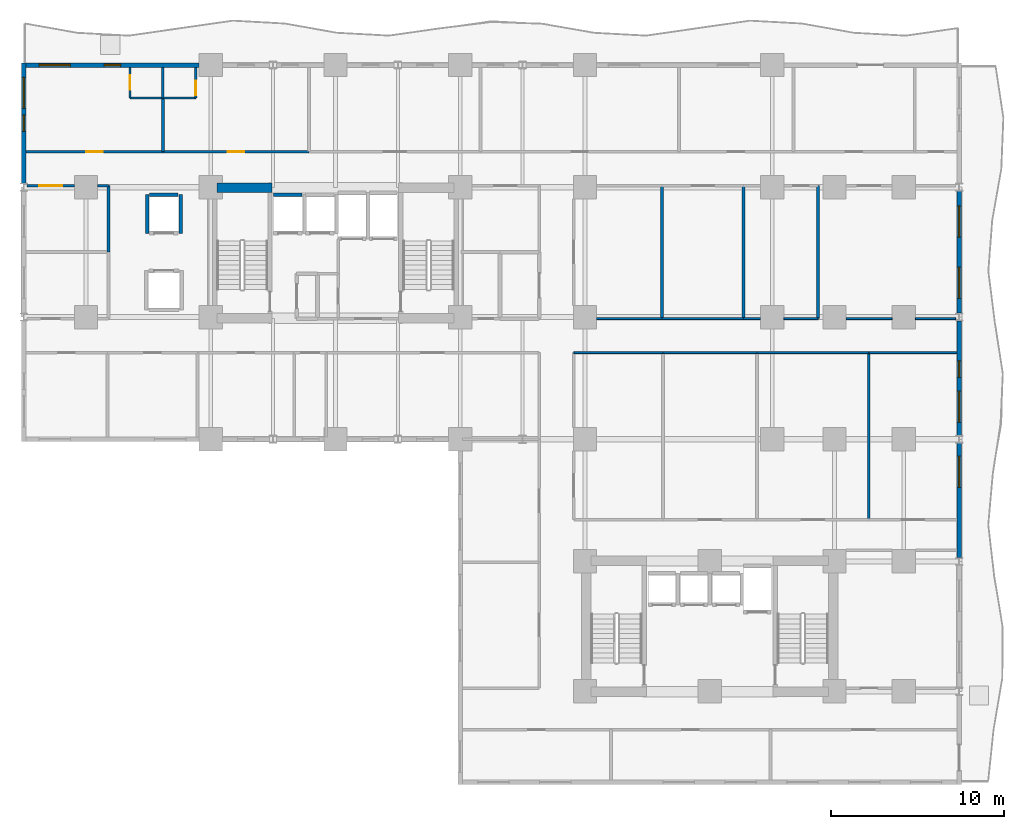
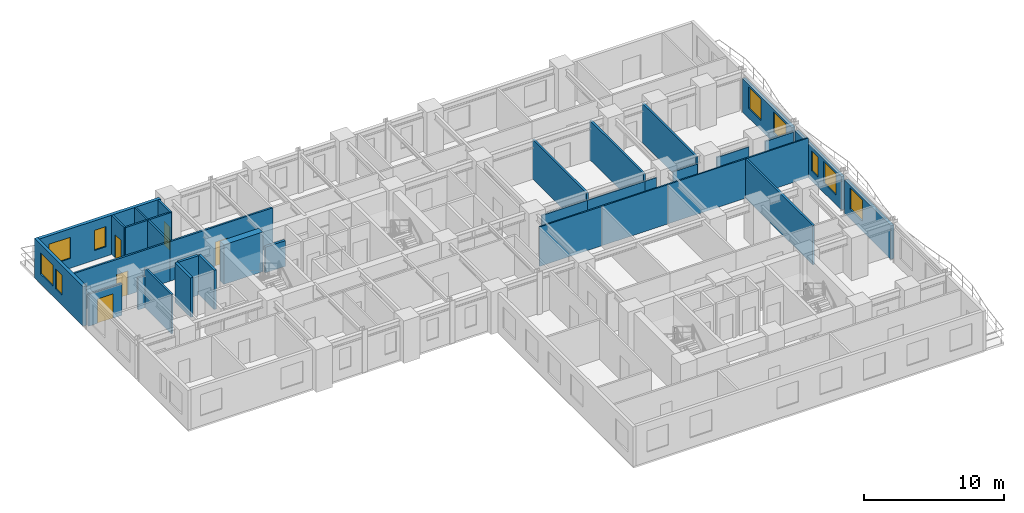
# One storey, part 6 of 11: 35 walls, 9 windows, 5 doors, 14 openings.
"""IFC4 building model written with IfcOpenShell, lengths in metres."""

from ifc_helpers import new_model, si_unit, direction, frame, frame_2d, origin, place, context, subcontext, project, spatial, rectangle, extrude, material, layer, layer_set, type_object, element, fill, save


model = new_model("IFC4")

# Units and contexts
model_context = context("Model", 3, precision=1e-05, world=origin(), true_north=direction((0.0, 1.0)))
body_context = subcontext(model_context, "Body", "Model", "MODEL_VIEW")
ifc_project = project(units=[si_unit("LENGTHUNIT", "METRE"), si_unit("AREAUNIT", "SQUARE_METRE"), si_unit("VOLUMEUNIT", "CUBIC_METRE"), si_unit("PLANEANGLEUNIT", "RADIAN"), si_unit("MASSUNIT", "GRAM", prefix="KILO")], contexts=[model_context])

# Site, building, storey
site_placement = place(None, origin())
site = spatial("IfcSite", under=ifc_project, at=site_placement, CompositionType="ELEMENT")
building_placement = place(site_placement, origin())
building = spatial("IfcBuilding", under=site, at=building_placement, Name="Kaliganga Portal Commons", CompositionType="ELEMENT")
storey_placement = place(building_placement, frame((0.0, 0.0, 40.10009765625)))
storey = spatial("IfcBuildingStorey", under=building, at=storey_placement, Name="L09", CompositionType="ELEMENT", Elevation=40.10009765625)

# Wall
ifc_material_1 = material(Name="Concrete C60/75", Category="concrete")
ifc_layer_1 = layer(ifc_material_1, 0.550048828125)
ifc_layer_set_1 = layer_set([ifc_layer_1], Name="Concrete C60/75")
wall_type_1 = type_object("IfcWallType", Name="WL-CORE-550", PredefinedType="SHEAR", material=ifc_layer_set_1)
wall_1_placement = place(storey_placement, frame((14.75, 36.125, 0.0), z_axis=(0.0, 0.0, 1.0), x_axis=(1.0, 0.0, 0.0)))
element("IfcWall", 1, at=wall_1_placement, inside=storey, type_object=wall_type_1, Name="Core A N-West Shear Wall L09", PredefinedType="SHEAR", context=body_context, shape_type="SweptSolid", body=[
    extrude(rectangle(XDim=3.199951171875, YDim=0.550048828125, at=frame_2d((1.60009765625, 0.0))), origin(), (0.0, 0.0, 1.0), 3.449951171875),
])

# Wall, opening, window
ifc_material_2 = material(Name="Insulated Aluminium-Clad Spandrel Assembly", Category="aluminium")
ifc_layer_2 = layer(ifc_material_2, 0.260009765625)
ifc_layer_set_2 = layer_set([ifc_layer_2], Name="Insulated Aluminium-Clad Spandrel Assembly")
wall_type_2 = type_object("IfcWallType", Name="WL-EXT-SPAND-260", PredefinedType="STANDARD", material=ifc_layer_set_2)
wall_2_placement = place(storey_placement, frame((57.60009765625, 21.3759765625, 0.0), z_axis=(0.0, 0.0, 1.0), x_axis=(0.0, -1.0, 0.0)))
wall_2 = element("IfcWall", 2, at=wall_2_placement, inside=storey, type_object=wall_type_2, Name="Exterior Envelope Wall L09 P1-E01-S3", PredefinedType="STANDARD", context=body_context, shape_type="SweptSolid", body=[
    extrude(rectangle(XDim=6.60205078125, YDim=0.260009765625, at=frame_2d((3.301025390625, 0.0))), origin(), (0.0, 0.0, 1.0), 2.929931640625),
])
opening_1_placement = place(wall_2_placement, frame((0.75048828125, 0.0, 0.85009765625)))
opening_1 = element("IfcOpeningElement", 3, at=opening_1_placement, cuts=wall_2, Name="Opening W-01", PredefinedType="OPENING", context=body_context, shape_type="SweptSolid", body=[
    extrude(rectangle(XDim=1.800048828125, YDim=1.85009765625, at=frame_2d((0.89990234375, 0.925048828125))), frame((0.0, 0.14013671875, 0.0), z_axis=(0.0, -1.0, 0.0), x_axis=(1.0, 0.0, 0.0)), (0.0, 0.0, 1.0), 0.280029296875),
])
ifc_material_3 = material(Name="Thermally Broken Aluminium and Low-E Double Glazing", Category="aluminium")
window_type_1 = type_object("IfcWindowType", Name="WIN-STD-1800", PartitioningType="DOUBLE_PANEL_VERTICAL", PredefinedType="WINDOW", material=ifc_material_3)
window_1_placement = place(opening_1_placement, origin())
window_1 = element("IfcWindow", 4, at=window_1_placement, inside=storey, type_object=window_type_1, Name="Facade Window L09-P1E01S3-00", OverallHeight=1.85009765625, OverallWidth=1.800048828125, PartitioningType="SINGLE_PANEL", PredefinedType="WINDOW", context=body_context, shape_type="SweptSolid", body=[
    extrude(rectangle(XDim=1.800048828125, YDim=1.85009765625, at=frame_2d((0.89990234375, 0.925048828125))), frame((0.0, 0.030029296875, 0.0), z_axis=(0.0, -1.0, 0.0), x_axis=(1.0, 0.0, 0.0)), (0.0, 0.0, 1.0), 0.06005859375),
])
fill(opening_1, window_1)

# Wall, openings, windows
wall_3_placement = place(storey_placement, frame((57.60009765625, 28.426025390625, 0.0), z_axis=(0.0, 0.0, 1.0), x_axis=(0.0, -1.0, 0.0)))
wall_3 = element("IfcWall", 5, at=wall_3_placement, inside=storey, type_object=wall_type_2, Name="Exterior Envelope Wall L09 P1-E01-S4", PredefinedType="STANDARD", context=body_context, shape_type="SweptSolid", body=[
    extrude(rectangle(XDim=6.60205078125, YDim=0.260009765625, at=frame_2d((3.301025390625, 0.0))), origin(), (0.0, 0.0, 1.0), 2.929931640625),
])
opening_2_placement = place(wall_3_placement, frame((4.051513671875, 0.0, 0.85009765625)))
opening_2 = element("IfcOpeningElement", 6, at=opening_2_placement, cuts=wall_3, Name="Opening W-01", PredefinedType="OPENING", context=body_context, shape_type="SweptSolid", body=[
    extrude(rectangle(XDim=1.800048828125, YDim=1.85009765625, at=frame_2d((0.89990234375, 0.925048828125))), frame((0.0, 0.14013671875, 0.0), z_axis=(0.0, -1.0, 0.0), x_axis=(1.0, 0.0, 0.0)), (0.0, 0.0, 1.0), 0.280029296875),
])
opening_3_placement = place(wall_3_placement, frame((2.2978515625, 0.0, 0.85009765625)))
opening_3 = element("IfcOpeningElement", 7, at=opening_3_placement, cuts=wall_3, Name="Opening W-04", PredefinedType="OPENING", context=body_context, shape_type="SweptSolid", body=[
    extrude(rectangle(XDim=0.949951171875, YDim=1.75, at=frame_2d((0.47509765625, 0.875))), frame((0.0, 0.14013671875, 0.0), z_axis=(0.0, -1.0, 0.0), x_axis=(1.0, 0.0, 0.0)), (0.0, 0.0, 1.0), 0.280029296875),
])
window_type_2 = type_object("IfcWindowType", Name="WIN-NARROW-950", PartitioningType="SINGLE_PANEL", PredefinedType="WINDOW", material=ifc_material_3)
window_2_placement = place(opening_3_placement, origin())
window_2 = element("IfcWindow", 8, at=window_2_placement, inside=storey, type_object=window_type_2, Name="Facade Window L09-P1E01S4-N5", OverallHeight=1.75, OverallWidth=0.949951171875, PartitioningType="SINGLE_PANEL", PredefinedType="WINDOW", context=body_context, shape_type="SweptSolid", body=[
    extrude(rectangle(XDim=0.949951171875, YDim=1.75, at=frame_2d((0.47509765625, 0.875))), frame((0.0, 0.030029296875, 0.0), z_axis=(0.0, -1.0, 0.0), x_axis=(1.0, 0.0, 0.0)), (0.0, 0.0, 1.0), 0.06005859375),
])
fill(opening_3, window_2)
window_3_placement = place(opening_2_placement, origin())
window_3 = element("IfcWindow", 9, at=window_3_placement, inside=storey, type_object=window_type_1, Name="Facade Window L09-P1E01S4-01", OverallHeight=1.85009765625, OverallWidth=1.800048828125, PartitioningType="SINGLE_PANEL", PredefinedType="WINDOW", context=body_context, shape_type="SweptSolid", body=[
    extrude(rectangle(XDim=1.800048828125, YDim=1.85009765625, at=frame_2d((0.89990234375, 0.925048828125))), frame((0.0, 0.030029296875, 0.0), z_axis=(0.0, -1.0, 0.0), x_axis=(1.0, 0.0, 0.0)), (0.0, 0.0, 1.0), 0.06005859375),
])
fill(opening_2, window_3)

wall_4_placement = place(storey_placement, frame((57.60009765625, 35.926025390625, 0.0), z_axis=(0.0, 0.0, 1.0), x_axis=(0.0, -1.0, 0.0)))
wall_4 = element("IfcWall", 10, at=wall_4_placement, inside=storey, type_object=wall_type_2, Name="Exterior Envelope Wall L09 P1-E01-S5", PredefinedType="STANDARD", context=body_context, shape_type="SweptSolid", body=[
    extrude(rectangle(XDim=7.052001953125, YDim=0.260009765625, at=frame_2d((3.52587890625, 0.0))), origin(), (0.0, 0.0, 1.0), 2.929931640625),
])
opening_4_placement = place(wall_4_placement, frame((0.863037109375, 0.0, 0.85009765625)))
opening_4 = element("IfcOpeningElement", 11, at=opening_4_placement, cuts=wall_4, Name="Opening W-01", PredefinedType="OPENING", context=body_context, shape_type="SweptSolid", body=[
    extrude(rectangle(XDim=1.800048828125, YDim=1.85009765625, at=frame_2d((0.89990234375, 0.925048828125))), frame((0.0, 0.14013671875, 0.0), z_axis=(0.0, -1.0, 0.0), x_axis=(1.0, 0.0, 0.0)), (0.0, 0.0, 1.0), 0.280029296875),
])
opening_5_placement = place(wall_4_placement, frame((4.388916015625, 0.0, 0.85009765625)))
opening_5 = element("IfcOpeningElement", 12, at=opening_5_placement, cuts=wall_4, Name="Opening W-01", PredefinedType="OPENING", context=body_context, shape_type="SweptSolid", body=[
    extrude(rectangle(XDim=1.800048828125, YDim=1.85009765625, at=frame_2d((0.89990234375, 0.925048828125))), frame((0.0, 0.14013671875, 0.0), z_axis=(0.0, -1.0, 0.0), x_axis=(1.0, 0.0, 0.0)), (0.0, 0.0, 1.0), 0.280029296875),
])
window_4_placement = place(opening_4_placement, origin())
window_4 = element("IfcWindow", 13, at=window_4_placement, inside=storey, type_object=window_type_1, Name="Facade Window L09-P1E01S5-00", OverallHeight=1.85009765625, OverallWidth=1.800048828125, PartitioningType="SINGLE_PANEL", PredefinedType="WINDOW", context=body_context, shape_type="SweptSolid", body=[
    extrude(rectangle(XDim=1.800048828125, YDim=1.85009765625, at=frame_2d((0.89990234375, 0.925048828125))), frame((0.0, 0.030029296875, 0.0), z_axis=(0.0, -1.0, 0.0), x_axis=(1.0, 0.0, 0.0)), (0.0, 0.0, 1.0), 0.06005859375),
])
fill(opening_4, window_4)
window_5_placement = place(opening_5_placement, origin())
window_5 = element("IfcWindow", 14, at=window_5_placement, inside=storey, type_object=window_type_1, Name="Facade Window L09-P1E01S5-01", OverallHeight=1.85009765625, OverallWidth=1.800048828125, PartitioningType="SINGLE_PANEL", PredefinedType="WINDOW", context=body_context, shape_type="SweptSolid", body=[
    extrude(rectangle(XDim=1.800048828125, YDim=1.85009765625, at=frame_2d((0.89990234375, 0.925048828125))), frame((0.0, 0.030029296875, 0.0), z_axis=(0.0, -1.0, 0.0), x_axis=(1.0, 0.0, 0.0)), (0.0, 0.0, 1.0), 0.06005859375),
])
fill(opening_5, window_5)

wall_5_placement = place(storey_placement, frame((3.735107421875, 43.199951171875, 0.0), z_axis=(0.0, 0.0, 1.0), x_axis=(1.0, 0.0, 0.0)))
wall_5 = element("IfcWall", 15, at=wall_5_placement, inside=storey, type_object=wall_type_2, Name="Exterior Envelope Wall L09 P1-E02-S9", PredefinedType="STANDARD", context=body_context, shape_type="SweptSolid", body=[
    extrude(rectangle(XDim=9.989013671875, YDim=0.260009765625, at=frame_2d((4.99462890625, 0.0))), origin(), (0.0, 0.0, 1.0), 3.429931640625),
])
opening_6_placement = place(wall_5_placement, frame((0.764892578125, 0.0, 0.85009765625)))
opening_6 = element("IfcOpeningElement", 16, at=opening_6_placement, cuts=wall_5, Name="Opening W-01", PredefinedType="OPENING", context=body_context, shape_type="SweptSolid", body=[
    extrude(rectangle(XDim=1.800048828125, YDim=1.85009765625, at=frame_2d((0.89990234375, 0.925048828125))), frame((0.0, 0.14013671875, 0.0), z_axis=(0.0, -1.0, 0.0), x_axis=(1.0, 0.0, 0.0)), (0.0, 0.0, 1.0), 0.280029296875),
])
opening_7_placement = place(wall_5_placement, frame((4.51953125, 0.0, 0.85009765625)))
opening_7 = element("IfcOpeningElement", 17, at=opening_7_placement, cuts=wall_5, Name="Opening W-04", PredefinedType="OPENING", context=body_context, shape_type="SweptSolid", body=[
    extrude(rectangle(XDim=0.949951171875, YDim=1.75, at=frame_2d((0.47509765625, 0.875))), frame((0.0, 0.14013671875, 0.0), z_axis=(0.0, -1.0, 0.0), x_axis=(1.0, 0.0, 0.0)), (0.0, 0.0, 1.0), 0.280029296875),
])
window_6_placement = place(opening_7_placement, origin())
window_6 = element("IfcWindow", 18, at=window_6_placement, inside=storey, type_object=window_type_2, Name="Facade Window L09-P1E02S9-N0", OverallHeight=1.75, OverallWidth=0.949951171875, PartitioningType="SINGLE_PANEL", PredefinedType="WINDOW", context=body_context, shape_type="SweptSolid", body=[
    extrude(rectangle(XDim=0.949951171875, YDim=1.75, at=frame_2d((0.47509765625, 0.875))), frame((0.0, 0.030029296875, 0.0), z_axis=(0.0, -1.0, 0.0), x_axis=(1.0, 0.0, 0.0)), (0.0, 0.0, 1.0), 0.06005859375),
])
fill(opening_7, window_6)
window_7_placement = place(opening_6_placement, origin())
window_7 = element("IfcWindow", 19, at=window_7_placement, inside=storey, type_object=window_type_1, Name="Facade Window L09-P1E02S9-00", OverallHeight=1.85009765625, OverallWidth=1.800048828125, PartitioningType="SINGLE_PANEL", PredefinedType="WINDOW", context=body_context, shape_type="SweptSolid", body=[
    extrude(rectangle(XDim=1.800048828125, YDim=1.85009765625, at=frame_2d((0.89990234375, 0.925048828125))), frame((0.0, 0.030029296875, 0.0), z_axis=(0.0, -1.0, 0.0), x_axis=(1.0, 0.0, 0.0)), (0.0, 0.0, 1.0), 0.06005859375),
])
fill(opening_6, window_7)

wall_6_placement = place(storey_placement, frame((3.60009765625, 36.3740234375, 0.0), z_axis=(0.0, 0.0, 1.0), x_axis=(0.0, 1.0, 0.0)))
wall_6 = element("IfcWall", 20, at=wall_6_placement, inside=storey, type_object=wall_type_2, Name="Exterior Envelope Wall L09 P1-E03-S1", PredefinedType="STANDARD", context=body_context, shape_type="SweptSolid", body=[
    extrude(rectangle(XDim=6.9560546875, YDim=0.260009765625, at=frame_2d((3.47802734375, 0.0))), origin(), (0.0, 0.0, 1.0), 3.429931640625),
])
opening_8_placement = place(wall_6_placement, frame((4.31689453125, 0.0, 0.85009765625)))
opening_8 = element("IfcOpeningElement", 21, at=opening_8_placement, cuts=wall_6, Name="Opening W-01", PredefinedType="OPENING", context=body_context, shape_type="SweptSolid", body=[
    extrude(rectangle(XDim=1.800048828125, YDim=1.85009765625, at=frame_2d((0.89990234375, 0.925048828125))), frame((0.0, 0.14013671875, 0.0), z_axis=(0.0, -1.0, 0.0), x_axis=(1.0, 0.0, 0.0)), (0.0, 0.0, 1.0), 0.280029296875),
])
opening_9_placement = place(wall_6_placement, frame((3.0029296875, 0.0, 0.85009765625)))
opening_9 = element("IfcOpeningElement", 22, at=opening_9_placement, cuts=wall_6, Name="Opening W-04", PredefinedType="OPENING", context=body_context, shape_type="SweptSolid", body=[
    extrude(rectangle(XDim=0.949951171875, YDim=1.75, at=frame_2d((0.47509765625, 0.875))), frame((0.0, 0.14013671875, 0.0), z_axis=(0.0, -1.0, 0.0), x_axis=(1.0, 0.0, 0.0)), (0.0, 0.0, 1.0), 0.280029296875),
])
window_8_placement = place(opening_9_placement, origin())
window_8 = element("IfcWindow", 23, at=window_8_placement, inside=storey, type_object=window_type_2, Name="Facade Window L09-P1E03S1-N0", OverallHeight=1.75, OverallWidth=0.949951171875, PartitioningType="SINGLE_PANEL", PredefinedType="WINDOW", context=body_context, shape_type="SweptSolid", body=[
    extrude(rectangle(XDim=0.949951171875, YDim=1.75, at=frame_2d((0.47509765625, 0.875))), frame((0.0, 0.030029296875, 0.0), z_axis=(0.0, -1.0, 0.0), x_axis=(1.0, 0.0, 0.0)), (0.0, 0.0, 1.0), 0.06005859375),
])
fill(opening_9, window_8)
window_9_placement = place(opening_8_placement, origin())
window_9 = element("IfcWindow", 24, at=window_9_placement, inside=storey, type_object=window_type_1, Name="Facade Window L09-P1E03S1-01", OverallHeight=1.85009765625, OverallWidth=1.800048828125, PartitioningType="SINGLE_PANEL", PredefinedType="WINDOW", context=body_context, shape_type="SweptSolid", body=[
    extrude(rectangle(XDim=1.800048828125, YDim=1.85009765625, at=frame_2d((0.89990234375, 0.925048828125))), frame((0.0, 0.030029296875, 0.0), z_axis=(0.0, -1.0, 0.0), x_axis=(1.0, 0.0, 0.0)), (0.0, 0.0, 1.0), 0.06005859375),
])
fill(opening_8, window_9)

# Wall, opening, door
ifc_material_4 = material(Name="Fire-Rated Gypsum Board on Steel Stud", Category="steel")
ifc_layer_3 = layer(ifc_material_4, 0.14990234375)
ifc_layer_set_3 = layer_set([ifc_layer_3], Name="Fire-Rated Gypsum Board on Steel Stud")
wall_type_3 = type_object("IfcWallType", Name="WL-PART-CORR-150", PredefinedType="PARTITIONING", material=ifc_layer_set_3)
wall_7_placement = place(storey_placement, frame((11.639892578125, 38.199951171875, 0.0), z_axis=(0.0, 0.0, 1.0), x_axis=(1.0, 0.0, 0.0)))
wall_7 = element("IfcWall", 25, at=wall_7_placement, inside=storey, type_object=wall_type_3, Name="Interior Partition L09-014", PredefinedType="PARTITIONING", context=body_context, shape_type="SweptSolid", body=[
    extrude(rectangle(XDim=8.440185546875, YDim=0.14990234375, at=frame_2d((4.22021484375, 0.0))), origin(), (0.0, 0.0, 1.0), 3.429931640625),
])
opening_10_placement = place(wall_7_placement, frame((3.7451171875, 0.0, 0.0)))
opening_10 = element("IfcOpeningElement", 26, at=opening_10_placement, cuts=wall_7, Name="Opening UD-01", PredefinedType="OPENING", context=body_context, shape_type="SweptSolid", body=[
    extrude(rectangle(XDim=0.949951171875, YDim=2.10009765625, at=frame_2d((0.47509765625, 1.050048828125))), frame((0.0, 0.0849609375, 0.0), z_axis=(0.0, -1.0, 0.0), x_axis=(1.0, 0.0, 0.0)), (0.0, 0.0, 1.0), 0.169921875),
])
ifc_material_5 = material(Name="Solid-Core Timber Acoustic Fire Door", Category="wood")
door_type_1 = type_object("IfcDoorType", Name="DR-UNIT-950", OperationType="NOTDEFINED", PredefinedType="DOOR", material=ifc_material_5)
door_1_placement = place(opening_10_placement, origin())
door_1 = element("IfcDoor", 27, at=door_1_placement, inside=storey, type_object=door_type_1, Name="Interior Door L09-AN02", OperationType="SINGLE_SWING_RIGHT", OverallHeight=2.10009765625, OverallWidth=0.949951171875, PredefinedType="DOOR", context=body_context, shape_type="SweptSolid", body=[
    extrude(rectangle(XDim=0.949951171875, YDim=2.10009765625, at=frame_2d((0.47509765625, 1.050048828125))), frame((0.0, 0.02490234375, 0.0), z_axis=(0.0, -1.0, 0.0), x_axis=(1.0, 0.0, 0.0)), (0.0, 0.0, 1.0), 0.050048828125),
])
fill(opening_10, door_1)

wall_8_placement = place(storey_placement, frame((3.73193359375, 38.199951171875, 0.0), z_axis=(0.0, 0.0, 1.0), x_axis=(1.0, 0.0, 0.0)))
wall_8 = element("IfcWall", 28, at=wall_8_placement, inside=storey, type_object=wall_type_3, Name="Interior Partition L09-017", PredefinedType="PARTITIONING", context=body_context, shape_type="SweptSolid", body=[
    extrude(rectangle(XDim=7.907958984375, YDim=0.14990234375, at=frame_2d((3.9541015625, 0.0))), origin(), (0.0, 0.0, 1.0), 3.429931640625),
])
opening_11_placement = place(wall_8_placement, frame((3.47900390625, 0.0, 0.0)))
opening_11 = element("IfcOpeningElement", 29, at=opening_11_placement, cuts=wall_8, Name="Opening UD-01", PredefinedType="OPENING", context=body_context, shape_type="SweptSolid", body=[
    extrude(rectangle(XDim=0.949951171875, YDim=2.10009765625, at=frame_2d((0.47509765625, 1.050048828125))), frame((0.0, 0.0849609375, 0.0), z_axis=(0.0, -1.0, 0.0), x_axis=(1.0, 0.0, 0.0)), (0.0, 0.0, 1.0), 0.169921875),
])
door_2_placement = place(opening_11_placement, origin())
door_2 = element("IfcDoor", 30, at=door_2_placement, inside=storey, type_object=door_type_1, Name="Interior Door L09-AN01", OperationType="SINGLE_SWING_RIGHT", OverallHeight=2.10009765625, OverallWidth=0.949951171875, PredefinedType="DOOR", context=body_context, shape_type="SweptSolid", body=[
    extrude(rectangle(XDim=0.949951171875, YDim=2.10009765625, at=frame_2d((0.47509765625, 1.050048828125))), frame((0.0, 0.02490234375, 0.0), z_axis=(0.0, -1.0, 0.0), x_axis=(1.0, 0.0, 0.0)), (0.0, 0.0, 1.0), 0.050048828125),
])
fill(opening_11, door_2)

wall_9_placement = place(storey_placement, frame((3.80810546875, 36.239990234375, 0.0), z_axis=(0.0, 0.0, 1.0), x_axis=(1.0, 0.0, 0.0)))
wall_9 = element("IfcWall", 31, at=wall_9_placement, inside=storey, type_object=wall_type_3, Name="Interior Partition L09-037", PredefinedType="PARTITIONING", context=body_context, shape_type="SweptSolid", body=[
    extrude(rectangle(XDim=2.716796875, YDim=0.14990234375, at=frame_2d((1.3583984375, 0.0))), origin(), (0.0, 0.0, 1.0), 2.77978515625),
])
opening_12_placement = place(wall_9_placement, frame((0.70849609375, 0.0, 0.0)))
opening_12 = element("IfcOpeningElement", 32, at=opening_12_placement, cuts=wall_9, Name="Opening RD-03", PredefinedType="OPENING", context=body_context, shape_type="SweptSolid", body=[
    extrude(rectangle(XDim=1.300048828125, YDim=2.1201171875, at=frame_2d((0.64990234375, 1.06005859375))), frame((0.0, 0.0849609375, 0.0), z_axis=(0.0, -1.0, 0.0), x_axis=(1.0, 0.0, 0.0)), (0.0, 0.0, 1.0), 0.169921875),
])
ifc_material_6 = material(Name="Glazed Timber Seminar Vision Door", Category="wood")
door_type_2 = type_object("IfcDoorType", Name="DR-STUDY-1300", OperationType="DOUBLE_DOOR_SINGLE_SWING", PredefinedType="DOOR", material=ifc_material_6)
door_3_placement = place(opening_12_placement, origin())
door_3 = element("IfcDoor", 33, at=door_3_placement, inside=storey, type_object=door_type_2, Name="Interior Door L09-AW02", OperationType="DOUBLE_DOOR_SINGLE_SWING", OverallHeight=2.1201171875, OverallWidth=1.300048828125, PredefinedType="DOOR", context=body_context, shape_type="SweptSolid", body=[
    extrude(rectangle(XDim=1.300048828125, YDim=2.1201171875, at=frame_2d((0.64990234375, 1.06005859375))), frame((0.0, 0.02490234375, 0.0), z_axis=(0.0, -1.0, 0.0), x_axis=(1.0, 0.0, 0.0)), (0.0, 0.0, 1.0), 0.050048828125),
])
fill(opening_12, door_3)

# Walls
wall_10_placement = place(storey_placement, frame((7.875, 36.239990234375, 0.0), z_axis=(0.0, 0.0, 1.0), x_axis=(1.0, 0.0, 0.0)))
element("IfcWall", 34, at=wall_10_placement, inside=storey, type_object=wall_type_3, Name="Interior Partition L09-038", PredefinedType="PARTITIONING", context=body_context, shape_type="SweptSolid", body=[
    extrude(rectangle(XDim=0.625, YDim=0.14990234375, at=frame_2d((0.3125, 0.0))), origin(), (0.0, 0.0, 1.0), 2.77978515625),
])
wall_11_placement = place(storey_placement, frame((8.5, 32.39990234375, 0.0), z_axis=(0.0, 0.0, 1.0), x_axis=(0.0, 1.0, 0.0)))
element("IfcWall", 35, at=wall_11_placement, inside=storey, type_object=wall_type_3, Name="Interior Partition L09-045", PredefinedType="PARTITIONING", context=body_context, shape_type="SweptSolid", body=[
    extrude(rectangle(XDim=3.840087890625, YDim=0.14990234375, at=frame_2d((1.919921875, 0.0))), origin(), (0.0, 0.0, 1.0), 3.429931640625),
])
ifc_material_7 = material(Name="Moisture-Resistant Gypsum Partition", Category="gypsum")
ifc_layer_4 = layer(ifc_material_7, 0.114990234375)
ifc_layer_set_4 = layer_set([ifc_layer_4], Name="Moisture-Resistant Gypsum Partition")
wall_type_4 = type_object("IfcWallType", Name="WL-PART-ROOM-115", PredefinedType="PARTITIONING", material=ifc_layer_set_4)
wall_12_placement = place(storey_placement, frame((51.074951171875, 28.56005859375, 0.0), z_axis=(0.0, 0.0, 1.0), x_axis=(1.0, 0.0, 0.0)))
element("IfcWall", 36, at=wall_12_placement, inside=storey, type_object=wall_type_4, Name="Interior Partition L09-062", PredefinedType="PARTITIONING", context=body_context, shape_type="SweptSolid", body=[
    extrude(rectangle(XDim=2.650146484375, YDim=0.114990234375, at=frame_2d((1.3251953125, 0.0))), origin(), (0.0, 0.0, 1.0), 2.77978515625),
])
wall_13_placement = place(storey_placement, frame((55.074951171875, 28.56005859375, 0.0), z_axis=(0.0, 0.0, 1.0), x_axis=(1.0, 0.0, 0.0)))
element("IfcWall", 37, at=wall_13_placement, inside=storey, type_object=wall_type_4, Name="Interior Partition L09-063", PredefinedType="PARTITIONING", context=body_context, shape_type="SweptSolid", body=[
    extrude(rectangle(XDim=2.317138671875, YDim=0.114990234375, at=frame_2d((1.15869140625, 0.0))), origin(), (0.0, 0.0, 1.0), 2.77978515625),
])
wall_14_placement = place(storey_placement, frame((45.919921875, 26.60009765625, 0.0), z_axis=(0.0, 0.0, 1.0), x_axis=(1.0, 0.0, 0.0)))
element("IfcWall", 38, at=wall_14_placement, inside=storey, type_object=wall_type_4, Name="Interior Partition L09-067", PredefinedType="PARTITIONING", context=body_context, shape_type="SweptSolid", body=[
    extrude(rectangle(XDim=6.4599609375, YDim=0.114990234375, at=frame_2d((3.22998046875, 0.0))), origin(), (0.0, 0.0, 1.0), 3.429931640625),
])
wall_15_placement = place(storey_placement, frame((40.5, 26.60009765625, 0.0), z_axis=(0.0, 0.0, 1.0), x_axis=(1.0, 0.0, 0.0)))
element("IfcWall", 39, at=wall_15_placement, inside=storey, type_object=wall_type_4, Name="Interior Partition L09-068", PredefinedType="PARTITIONING", context=body_context, shape_type="SweptSolid", body=[
    extrude(rectangle(XDim=5.419921875, YDim=0.114990234375, at=frame_2d((2.7099609375, 0.0))), origin(), (0.0, 0.0, 1.0), 3.429931640625),
])
wall_16_placement = place(storey_placement, frame((52.3798828125, 26.60009765625, 0.0), z_axis=(0.0, 0.0, 1.0), x_axis=(1.0, 0.0, 0.0)))
element("IfcWall", 40, at=wall_16_placement, inside=storey, type_object=wall_type_4, Name="Interior Partition L09-069", PredefinedType="PARTITIONING", context=body_context, shape_type="SweptSolid", body=[
    extrude(rectangle(XDim=5.088134765625, YDim=0.114990234375, at=frame_2d((2.5439453125, 0.0))), origin(), (0.0, 0.0, 1.0), 3.429931640625),
])
wall_17_placement = place(storey_placement, frame((35.360107421875, 26.60009765625, 0.0), z_axis=(0.0, 0.0, 1.0), x_axis=(1.0, 0.0, 0.0)))
element("IfcWall", 41, at=wall_17_placement, inside=storey, type_object=wall_type_4, Name="Interior Partition L09-070", PredefinedType="PARTITIONING", context=body_context, shape_type="SweptSolid", body=[
    extrude(rectangle(XDim=5.139892578125, YDim=0.114990234375, at=frame_2d((2.56982421875, 0.0))), origin(), (0.0, 0.0, 1.0), 3.429931640625),
])
wall_18_placement = place(storey_placement, frame((36.675048828125, 28.56005859375, 0.0), z_axis=(0.0, 0.0, 1.0), x_axis=(1.0, 0.0, 0.0)))
element("IfcWall", 42, at=wall_18_placement, inside=storey, type_object=wall_type_4, Name="Interior Partition L09-071", PredefinedType="PARTITIONING", context=body_context, shape_type="SweptSolid", body=[
    extrude(rectangle(XDim=3.764892578125, YDim=0.114990234375, at=frame_2d((1.88232421875, 0.0))), origin(), (0.0, 0.0, 1.0), 2.77978515625),
])
wall_19_placement = place(storey_placement, frame((40.43994140625, 28.56005859375, 0.0), z_axis=(0.0, 0.0, 1.0), x_axis=(1.0, 0.0, 0.0)))
element("IfcWall", 43, at=wall_19_placement, inside=storey, type_object=wall_type_4, Name="Interior Partition L09-082", PredefinedType="PARTITIONING", context=body_context, shape_type="SweptSolid", body=[
    extrude(rectangle(XDim=4.719970703125, YDim=0.114990234375, at=frame_2d((2.35986328125, 0.0))), origin(), (0.0, 0.0, 1.0), 2.77978515625),
])
wall_20_placement = place(storey_placement, frame((45.159912109375, 28.56005859375, 0.0), z_axis=(0.0, 0.0, 1.0), x_axis=(1.0, 0.0, 0.0)))
element("IfcWall", 44, at=wall_20_placement, inside=storey, type_object=wall_type_4, Name="Interior Partition L09-085", PredefinedType="PARTITIONING", context=body_context, shape_type="SweptSolid", body=[
    extrude(rectangle(XDim=0.965087890625, YDim=0.114990234375, at=frame_2d((0.482421875, 0.0))), origin(), (0.0, 0.0, 1.0), 2.77978515625),
])
wall_21_placement = place(storey_placement, frame((47.47509765625, 28.56005859375, 0.0), z_axis=(0.0, 0.0, 1.0), x_axis=(1.0, 0.0, 0.0)))
element("IfcWall", 45, at=wall_21_placement, inside=storey, type_object=wall_type_4, Name="Interior Partition L09-086", PredefinedType="PARTITIONING", context=body_context, shape_type="SweptSolid", body=[
    extrude(rectangle(XDim=1.98486328125, YDim=0.114990234375, at=frame_2d((0.992431640625, 0.0))), origin(), (0.0, 0.0, 1.0), 2.77978515625),
])
ifc_material_8 = material(Name="Twin-Stud Acoustic Gypsum Partition", Category="gypsum")
ifc_layer_5 = layer(ifc_material_8, 0.1650390625)
ifc_layer_set_5 = layer_set([ifc_layer_5], Name="Twin-Stud Acoustic Gypsum Partition")
wall_type_5 = type_object("IfcWallType", Name="WL-PART-UNIT-165", PredefinedType="PARTITIONING", material=ifc_layer_set_5)
wall_22_placement = place(storey_placement, frame((52.3798828125, 16.9599609375, 0.0), z_axis=(0.0, 0.0, 1.0), x_axis=(0.0, 1.0, 0.0)))
element("IfcWall", 46, at=wall_22_placement, inside=storey, type_object=wall_type_5, Name="Interior Partition L09-061", PredefinedType="PARTITIONING", context=body_context, shape_type="SweptSolid", body=[
    extrude(rectangle(XDim=9.64013671875, YDim=0.1650390625, at=frame_2d((4.820068359375, 0.0))), origin(), (0.0, 0.0, 1.0), 3.429931640625),
])
for number, where, z_axis, x_axis, name in (
    (47, (40.43994140625, 28.56005859375, 0.0), (0.0, 0.0, 1.0), (0.0, 1.0, 0.0), "Interior Partition L09-064"),
    (48, (45.159912109375, 28.56005859375, 0.0), (0.0, 0.0, 1.0), (0.0, 1.0, 0.0), "Interior Partition L09-065"),
    (49, (49.4599609375, 28.56005859375, 0.0), (0.0, 0.0, 1.0), (0.0, 1.0, 0.0), "Interior Partition L09-066"),
):
    element("IfcWall", number, at=place(storey_placement, frame(where, z_axis=z_axis, x_axis=x_axis)), inside=storey, type_object=wall_type_5, Name=name, PredefinedType="PARTITIONING", context=body_context, shape_type="SweptSolid", body=[
        extrude(rectangle(XDim=7.679931640625, YDim=0.1650390625, at=frame_2d((3.83984375, 0.0))), origin(), (0.0, 0.0, 1.0), 3.429931640625),
    ])
wall_23_placement = place(storey_placement, frame((11.639892578125, 38.199951171875, 0.0), z_axis=(0.0, 0.0, 1.0), x_axis=(0.0, 1.0, 0.0)))
element("IfcWall", 50, at=wall_23_placement, inside=storey, type_object=wall_type_5, Name="Interior Partition L09-089", PredefinedType="PARTITIONING", context=body_context, shape_type="SweptSolid", body=[
    extrude(rectangle(XDim=3.10009765625, YDim=0.1650390625, at=frame_2d((1.550048828125, 0.0))), origin(), (0.0, 0.0, 1.0), 3.429931640625),
])

# Wall, opening, door
ifc_material_9 = material(Name="Cement-Board Wet-Room Partition", Category="gypsum")
ifc_layer_6 = layer(ifc_material_9, 0.135009765625)
ifc_layer_set_6 = layer_set([ifc_layer_6], Name="Cement-Board Wet-Room Partition")
wall_type_6 = type_object("IfcWallType", Name="WL-PART-WET-135", PredefinedType="PARTITIONING", material=ifc_layer_set_6)
wall_24_placement = place(storey_placement, frame((9.739990234375, 41.300048828125, 0.0), z_axis=(0.0, 0.0, 1.0), x_axis=(0.0, 1.0, 0.0)))
wall_24 = element("IfcWall", 51, at=wall_24_placement, inside=storey, type_object=wall_type_6, Name="Interior Partition L09-001", PredefinedType="PARTITIONING", context=body_context, shape_type="SweptSolid", body=[
    extrude(rectangle(XDim=1.76806640625, YDim=0.135009765625, at=frame_2d((0.884033203125, 0.0))), origin(), (0.0, 0.0, 1.0), 3.429931640625),
])
opening_13_placement = place(wall_24_placement, frame((0.458984375, 0.0, 0.0)))
opening_13 = element("IfcOpeningElement", 52, at=opening_13_placement, cuts=wall_24, Name="Opening WD-01", PredefinedType="OPENING", context=body_context, shape_type="SweptSolid", body=[
    extrude(rectangle(XDim=0.85009765625, YDim=2.0400390625, at=frame_2d((0.425048828125, 1.02001953125))), frame((0.0, 0.07763671875, 0.0), z_axis=(0.0, -1.0, 0.0), x_axis=(1.0, 0.0, 0.0)), (0.0, 0.0, 1.0), 0.155029296875),
])
ifc_material_10 = material(Name="Moisture-Resistant Laminate Timber Door", Category="wood")
door_type_3 = type_object("IfcDoorType", Name="DR-WET-850", OperationType="NOTDEFINED", PredefinedType="DOOR", material=ifc_material_10)
door_4_placement = place(opening_13_placement, origin())
door_4 = element("IfcDoor", 53, at=door_4_placement, inside=storey, type_object=door_type_3, Name="Interior Door L09-AN01E", OperationType="SINGLE_SWING_LEFT", OverallHeight=2.0400390625, OverallWidth=0.85009765625, PredefinedType="DOOR", context=body_context, shape_type="SweptSolid", body=[
    extrude(rectangle(XDim=0.85009765625, YDim=2.0400390625, at=frame_2d((0.425048828125, 1.02001953125))), frame((0.0, 0.02490234375, 0.0), z_axis=(0.0, -1.0, 0.0), x_axis=(1.0, 0.0, 0.0)), (0.0, 0.0, 1.0), 0.050048828125),
])
fill(opening_13, door_4)

# Wall
wall_25_placement = place(storey_placement, frame((11.639892578125, 41.300048828125, 0.0), z_axis=(0.0, 0.0, 1.0), x_axis=(0.0, 1.0, 0.0)))
element("IfcWall", 54, at=wall_25_placement, inside=storey, type_object=wall_type_6, Name="Interior Partition L09-002", PredefinedType="PARTITIONING", context=body_context, shape_type="SweptSolid", body=[
    extrude(rectangle(XDim=1.76806640625, YDim=0.135009765625, at=frame_2d((0.884033203125, 0.0))), origin(), (0.0, 0.0, 1.0), 3.429931640625),
])

# Wall, opening, door
wall_26_placement = place(storey_placement, frame((13.5400390625, 41.300048828125, 0.0), z_axis=(0.0, 0.0, 1.0), x_axis=(0.0, 1.0, 0.0)))
wall_26 = element("IfcWall", 55, at=wall_26_placement, inside=storey, type_object=wall_type_6, Name="Interior Partition L09-003", PredefinedType="PARTITIONING", context=body_context, shape_type="SweptSolid", body=[
    extrude(rectangle(XDim=1.76806640625, YDim=0.135009765625, at=frame_2d((0.884033203125, 0.0))), origin(), (0.0, 0.0, 1.0), 3.429931640625),
])
opening_14_placement = place(wall_26_placement, frame((0.140869140625, 0.0, 0.0)))
opening_14 = element("IfcOpeningElement", 56, at=opening_14_placement, cuts=wall_26, Name="Opening WD-01", PredefinedType="OPENING", context=body_context, shape_type="SweptSolid", body=[
    extrude(rectangle(XDim=0.85009765625, YDim=2.0400390625, at=frame_2d((0.425048828125, 1.02001953125))), frame((0.0, 0.07763671875, 0.0), z_axis=(0.0, -1.0, 0.0), x_axis=(1.0, 0.0, 0.0)), (0.0, 0.0, 1.0), 0.155029296875),
])
door_5_placement = place(opening_14_placement, origin())
door_5 = element("IfcDoor", 57, at=door_5_placement, inside=storey, type_object=door_type_3, Name="Interior Door L09-AN02E", OperationType="SINGLE_SWING_RIGHT", OverallHeight=2.0400390625, OverallWidth=0.85009765625, PredefinedType="DOOR", context=body_context, shape_type="SweptSolid", body=[
    extrude(rectangle(XDim=0.85009765625, YDim=2.0400390625, at=frame_2d((0.425048828125, 1.02001953125))), frame((0.0, 0.02490234375, 0.0), z_axis=(0.0, -1.0, 0.0), x_axis=(1.0, 0.0, 0.0)), (0.0, 0.0, 1.0), 0.050048828125),
])
fill(opening_14, door_5)

# Walls
wall_27_placement = place(storey_placement, frame((9.739990234375, 41.300048828125, 0.0), z_axis=(0.0, 0.0, 1.0), x_axis=(1.0, 0.0, 0.0)))
element("IfcWall", 58, at=wall_27_placement, inside=storey, type_object=wall_type_6, Name="Interior Partition L09-004", PredefinedType="PARTITIONING", context=body_context, shape_type="SweptSolid", body=[
    extrude(rectangle(XDim=1.89990234375, YDim=0.135009765625, at=frame_2d((0.949951171875, 0.0))), origin(), (0.0, 0.0, 1.0), 3.429931640625),
])
wall_28_placement = place(storey_placement, frame((11.639892578125, 41.300048828125, 0.0), z_axis=(0.0, 0.0, 1.0), x_axis=(1.0, 0.0, 0.0)))
element("IfcWall", 59, at=wall_28_placement, inside=storey, type_object=wall_type_6, Name="Interior Partition L09-005", PredefinedType="PARTITIONING", context=body_context, shape_type="SweptSolid", body=[
    extrude(rectangle(XDim=1.900146484375, YDim=0.135009765625, at=frame_2d((0.9501953125, 0.0))), origin(), (0.0, 0.0, 1.0), 3.429931640625),
])
ifc_material_11 = material(Name="Fire-Rated Shaftwall Masonry Assembly", Category="masonry")
ifc_layer_7 = layer(ifc_material_11, 0.199951171875)
ifc_layer_set_7 = layer_set([ifc_layer_7], Name="Fire-Rated Shaftwall Masonry Assembly")
wall_type_7 = type_object("IfcWallType", Name="WL-SHAFT-200", PredefinedType="PARTITIONING", material=ifc_layer_set_7)
wall_29_placement = place(storey_placement, frame((18.02490234375, 35.715087890625, 0.0), z_axis=(0.0, 0.0, 1.0), x_axis=(1.0, 0.0, 0.0)))
element("IfcWall", 60, at=wall_29_placement, inside=storey, type_object=wall_type_7, Name="Lift PL-A1 Hoistway Shaft Wall L09-N", PredefinedType="PARTITIONING", context=body_context, shape_type="SweptSolid", body=[
    extrude(rectangle(XDim=1.650146484375, YDim=0.199951171875, at=frame_2d((0.8251953125, 0.0))), origin(), (0.0, 0.0, 1.0), 2.22998046875),
])
wall_30_placement = place(storey_placement, frame((10.875, 35.715087890625, 0.0), z_axis=(0.0, 0.0, 1.0), x_axis=(1.0, 0.0, 0.0)))
element("IfcWall", 61, at=wall_30_placement, inside=storey, type_object=wall_type_7, Name="Lift PL-OBS Hoistway Shaft Wall L09-N", PredefinedType="PARTITIONING", context=body_context, shape_type="SweptSolid", body=[
    extrude(rectangle(XDim=1.64990234375, YDim=0.199951171875, at=frame_2d((0.824951171875, 0.0))), origin(), (0.0, 0.0, 1.0), 3.429931640625),
])
for number, where, z_axis, x_axis, name in (
    (62, (10.735107421875, 33.485107421875, 0.0), (0.0, 0.0, 1.0), (0.0, 1.0, 0.0), "Lift PL-OBS Hoistway Shaft Wall L09-W"),
    (63, (12.6650390625, 33.485107421875, 0.0), (0.0, 0.0, 1.0), (0.0, 1.0, 0.0), "Lift PL-OBS Hoistway Shaft Wall L09-E"),
):
    element("IfcWall", number, at=place(storey_placement, frame(where, z_axis=z_axis, x_axis=x_axis)), inside=storey, type_object=wall_type_7, Name=name, PredefinedType="PARTITIONING", context=body_context, shape_type="SweptSolid", body=[
        extrude(rectangle(XDim=2.22998046875, YDim=0.199951171875, at=frame_2d((1.114990234375, 0.0))), origin(), (0.0, 0.0, 1.0), 3.429931640625),
    ])

save(model, "model.ifc")
